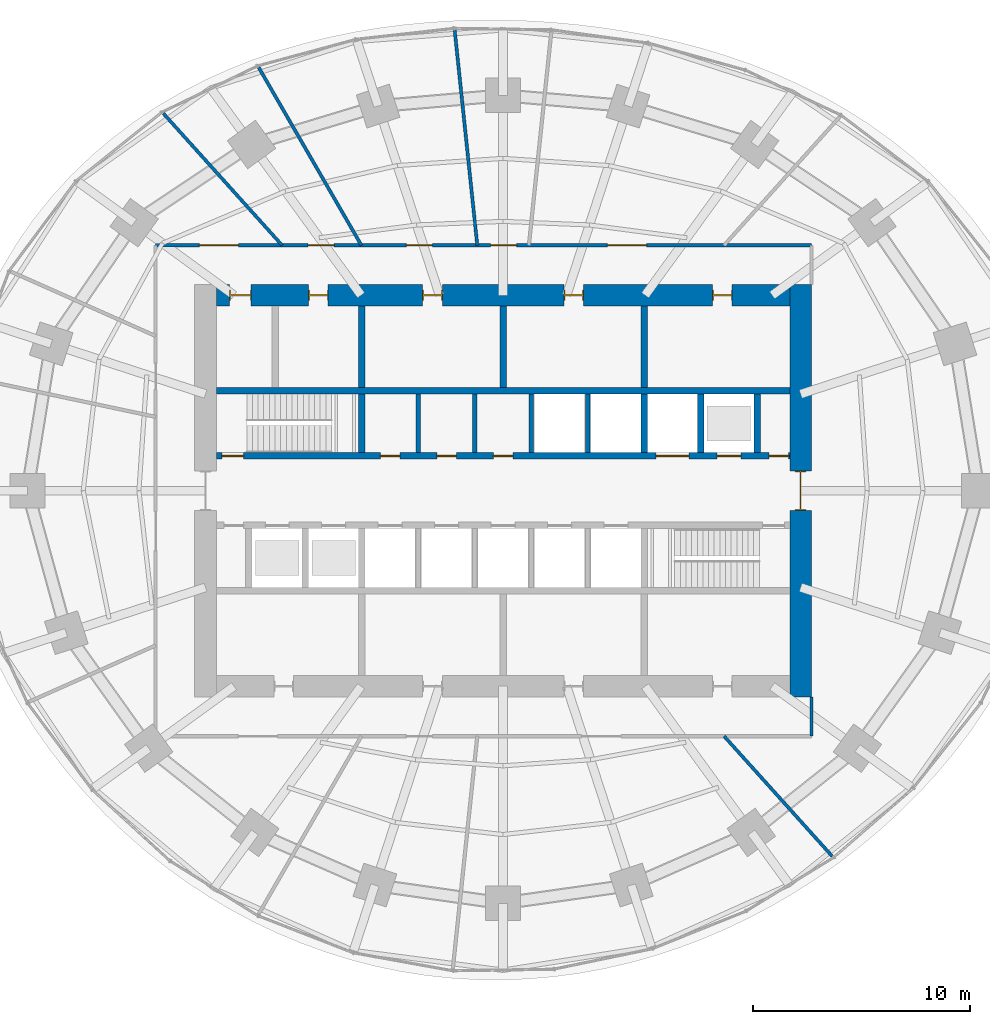
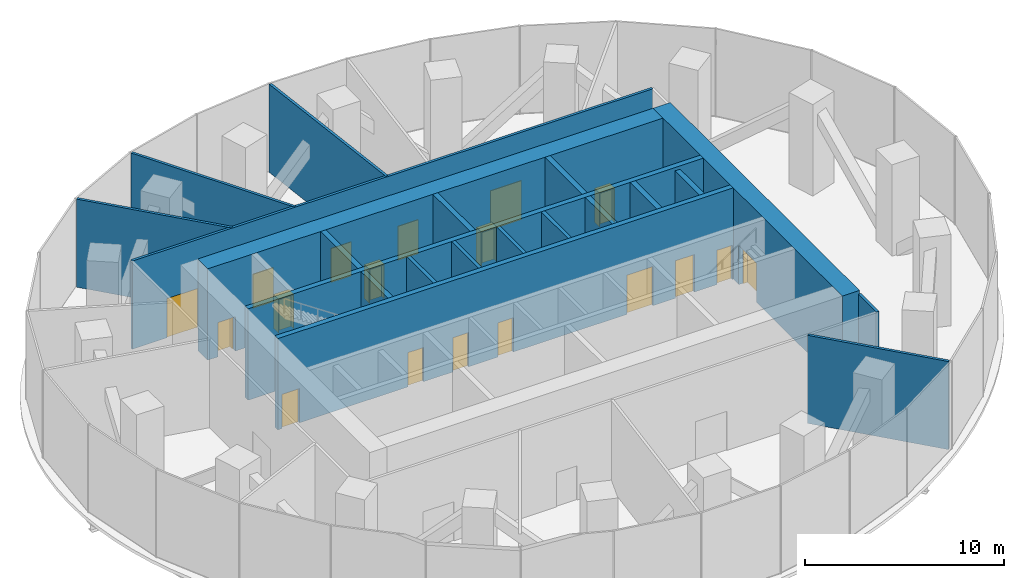
# One storey, part 11 of 14: 21 walls, 18 doors, 18 openings.
"""IFC4 building model written with IfcOpenShell, lengths in metres."""

from ifc_helpers import new_model, si_unit, direction, frame, frame_2d, origin, place, context, subcontext, project, spatial, rectangle, extrude, material, layer, layer_set, type_object, element, fill, save


model = new_model("IFC4")

# Units and contexts
model_context = context("Model", 3, precision=1e-05, world=origin(), true_north=direction((0.0, 1.0)))
body_context = subcontext(model_context, "Body", "Model", "MODEL_VIEW")
ifc_project = project(units=[si_unit("LENGTHUNIT", "METRE"), si_unit("AREAUNIT", "SQUARE_METRE"), si_unit("VOLUMEUNIT", "CUBIC_METRE"), si_unit("PLANEANGLEUNIT", "RADIAN"), si_unit("MASSUNIT", "GRAM", prefix="KILO")], contexts=[model_context])

# Site, building, storey
site_placement = place(None, origin())
site = spatial("IfcSite", under=ifc_project, at=site_placement, CompositionType="ELEMENT")
building_placement = place(site_placement, origin())
building = spatial("IfcBuilding", under=site, at=building_placement, Name="Marramba Exchange Tower", CompositionType="ELEMENT")
storey_placement = place(building_placement, frame((0.0, 0.0, 166.5)))
storey = spatial("IfcBuildingStorey", under=building, at=storey_placement, Name="L40", CompositionType="ELEMENT", Elevation=166.5)

# Walls
ifc_material_1 = material(Name="Concrete N50", Category="concrete")
ifc_layer_1 = layer(ifc_material_1, 0.199951171875)
ifc_layer_set_1 = layer_set([ifc_layer_1], Name="Core shaft wall 200")
wall_type_1 = type_object("IfcWallType", Name="Core shaft wall 200", PredefinedType="SHEAR", material=ifc_layer_set_1)
for number, where, z_axis, x_axis, name in (
    (1, (-3.89990234375, 1.75, 0.0), (0.0, 0.0, 1.0), (0.0, 1.0, 0.0), "Core wall SHN1 L40"),
    (2, (-1.300048828125, 1.75, 0.0), (0.0, 0.0, 1.0), (0.0, 1.0, 0.0), "Core wall SHN2 L40"),
    (3, (1.300048828125, 1.75, 0.0), (0.0, 0.0, 1.0), (0.0, 1.0, 0.0), "Core wall SHN3 L40"),
    (4, (3.89990234375, 1.75, 0.0), (0.0, 0.0, 1.0), (0.0, 1.0, 0.0), "Core wall SHN4 L40"),
):
    element("IfcWall", number, at=place(storey_placement, frame(where, z_axis=z_axis, x_axis=x_axis)), inside=storey, type_object=wall_type_1, Name=name, PredefinedType="SHEAR", context=body_context, shape_type="SweptSolid", body=[
        extrude(rectangle(XDim=2.699951171875, YDim=0.199951171875, at=frame_2d((1.35009765625, 0.0))), origin(), (0.0, 0.0, 1.0), 5.60009765625),
    ])

# Wall, openings, doors
ifc_layer_2 = layer(ifc_material_1, 1.0)
ifc_layer_set_2 = layer_set([ifc_layer_2], Name="Core wall 1000")
wall_type_2 = type_object("IfcWallType", Name="Core wall 1000", PredefinedType="SHEAR", material=ifc_layer_set_2)
wall_1_placement = place(storey_placement, frame((13.199951171875, 9.0, 0.0), z_axis=(0.0, 0.0, 1.0), x_axis=(-1.0, 0.0, 0.0)))
wall_1 = element("IfcWall", 5, at=wall_1_placement, inside=storey, type_object=wall_type_2, Name="Core wall N L40", PredefinedType="SHEAR", context=body_context, shape_type="SweptSolid", body=[
    extrude(rectangle(XDim=26.39990234375, YDim=1.0, at=frame_2d((13.199951171875, 0.0))), origin(), (0.0, 0.0, 1.0), 5.60009765625),
])
opening_1_placement = place(wall_1_placement, frame((2.64990234375, 0.0, 0.0)))
opening_1 = element("IfcOpeningElement", 6, at=opening_1_placement, cuts=wall_1, Name="Opening D5", PredefinedType="OPENING", context=body_context, shape_type="SweptSolid", body=[
    extrude(rectangle(XDim=0.89990234375, YDim=2.10009765625, at=frame_2d((0.449951171875, 1.050048828125))), frame((0.0, 0.510009765625, 0.0), z_axis=(0.0, -1.0, 0.0), x_axis=(1.0, 0.0, 0.0)), (0.0, 0.0, 1.0), 1.02001953125),
])
opening_2_placement = place(wall_1_placement, frame((9.5, 0.0, 0.0)))
opening_2 = element("IfcOpeningElement", 7, at=opening_2_placement, cuts=wall_1, Name="Opening D3", PredefinedType="OPENING", context=body_context, shape_type="SweptSolid", body=[
    extrude(rectangle(XDim=0.89990234375, YDim=2.10009765625, at=frame_2d((0.449951171875, 1.050048828125))), frame((0.0, 0.510009765625, 0.0), z_axis=(0.0, -1.0, 0.0), x_axis=(1.0, 0.0, 0.0)), (0.0, 0.0, 1.0), 1.02001953125),
])
opening_3_placement = place(wall_1_placement, frame((16.0, 0.0, 0.0)))
opening_3 = element("IfcOpeningElement", 8, at=opening_3_placement, cuts=wall_1, Name="Opening D3", PredefinedType="OPENING", context=body_context, shape_type="SweptSolid", body=[
    extrude(rectangle(XDim=0.89990234375, YDim=2.10009765625, at=frame_2d((0.449951171875, 1.050048828125))), frame((0.0, 0.510009765625, 0.0), z_axis=(0.0, -1.0, 0.0), x_axis=(1.0, 0.0, 0.0)), (0.0, 0.0, 1.0), 1.02001953125),
])
opening_4_placement = place(wall_1_placement, frame((21.25, 0.0, 0.0)))
opening_4 = element("IfcOpeningElement", 9, at=opening_4_placement, cuts=wall_1, Name="Opening D5", PredefinedType="OPENING", context=body_context, shape_type="SweptSolid", body=[
    extrude(rectangle(XDim=0.89990234375, YDim=2.10009765625, at=frame_2d((0.449951171875, 1.050048828125))), frame((0.0, 0.510009765625, 0.0), z_axis=(0.0, -1.0, 0.0), x_axis=(1.0, 0.0, 0.0)), (0.0, 0.0, 1.0), 1.02001953125),
])
opening_5_placement = place(wall_1_placement, frame((24.800048828125, 0.0, 0.0)))
opening_5 = element("IfcOpeningElement", 10, at=opening_5_placement, cuts=wall_1, Name="Opening D4", PredefinedType="OPENING", context=body_context, shape_type="SweptSolid", body=[
    extrude(rectangle(XDim=1.0, YDim=2.10009765625, at=frame_2d((0.5, 1.050048828125))), frame((0.0, 0.510009765625, 0.0), z_axis=(0.0, -1.0, 0.0), x_axis=(1.0, 0.0, 0.0)), (0.0, 0.0, 1.0), 1.02001953125),
])
ifc_material_2 = material(Name="Steel-framed door", Category="steel")
door_type_1 = type_object("IfcDoorType", Name="Accessible toilet door 1000x2100", OperationType="SINGLE_SWING_LEFT", PredefinedType="DOOR", material=ifc_material_2)
door_1_placement = place(opening_5_placement, origin())
door_1 = element("IfcDoor", 11, at=door_1_placement, inside=storey, type_object=door_type_1, Name="D4 awc L40", OperationType="SINGLE_SWING_RIGHT", OverallHeight=2.10009765625, OverallWidth=1.0, PredefinedType="DOOR", context=body_context, shape_type="SweptSolid", body=[
    extrude(rectangle(XDim=0.919921875, YDim=2.06005859375, at=frame_2d((0.5, 1.030029296875))), frame((0.0, 0.02490234375, 0.0), z_axis=(0.0, -1.0, 0.0), x_axis=(1.0, 0.0, 0.0)), (0.0, 0.0, 1.0), 0.050048828125),
    extrude(rectangle(XDim=0.04, YDim=2.10009765625, at=frame_2d((0.02001953125, 1.050048828125))), frame((0.0, 0.25, 0.0), z_axis=(0.0, -1.0, 0.0), x_axis=(1.0, 0.0, 0.0)), (0.0, 0.0, 1.0), 0.5),
    extrude(rectangle(XDim=0.04, YDim=2.10009765625, at=frame_2d((0.97998046875, 1.050048828125))), frame((0.0, 0.25, 0.0), z_axis=(0.0, -1.0, 0.0), x_axis=(1.0, 0.0, 0.0)), (0.0, 0.0, 1.0), 0.5),
    extrude(rectangle(XDim=0.919921875, YDim=0.04, at=frame_2d((0.5, 2.080078125))), frame((0.0, 0.25, 0.0), z_axis=(0.0, -1.0, 0.0), x_axis=(1.0, 0.0, 0.0)), (0.0, 0.0, 1.0), 0.5),
])
fill(opening_5, door_1)
door_type_2 = type_object("IfcDoorType", Name="Service door 900x2100", OperationType="SINGLE_SWING_LEFT", PredefinedType="DOOR", material=ifc_material_2)
door_2_placement = place(opening_1_placement, origin())
door_2 = element("IfcDoor", 12, at=door_2_placement, inside=storey, type_object=door_type_2, Name="D5 comms L40", OperationType="SINGLE_SWING_LEFT", OverallHeight=2.10009765625, OverallWidth=0.89990234375, PredefinedType="DOOR", context=body_context, shape_type="SweptSolid", body=[
    extrude(rectangle(XDim=0.81982421875, YDim=2.06005859375, at=frame_2d((0.449951171875, 1.030029296875))), frame((0.0, 0.02490234375, 0.0), z_axis=(0.0, -1.0, 0.0), x_axis=(1.0, 0.0, 0.0)), (0.0, 0.0, 1.0), 0.050048828125),
    extrude(rectangle(XDim=0.04, YDim=2.10009765625, at=frame_2d((0.02001953125, 1.050048828125))), frame((0.0, 0.25, 0.0), z_axis=(0.0, -1.0, 0.0), x_axis=(1.0, 0.0, 0.0)), (0.0, 0.0, 1.0), 0.5),
    extrude(rectangle(XDim=0.04, YDim=2.10009765625, at=frame_2d((0.8798828125, 1.050048828125))), frame((0.0, 0.25, 0.0), z_axis=(0.0, -1.0, 0.0), x_axis=(1.0, 0.0, 0.0)), (0.0, 0.0, 1.0), 0.5),
    extrude(rectangle(XDim=0.81982421875, YDim=0.04, at=frame_2d((0.449951171875, 2.080078125))), frame((0.0, 0.25, 0.0), z_axis=(0.0, -1.0, 0.0), x_axis=(1.0, 0.0, 0.0)), (0.0, 0.0, 1.0), 0.5),
])
fill(opening_1, door_2)
door_3_placement = place(opening_4_placement, origin())
door_3 = element("IfcDoor", 13, at=door_3_placement, inside=storey, type_object=door_type_2, Name="D5 cleaner L40", OperationType="SINGLE_SWING_RIGHT", OverallHeight=2.10009765625, OverallWidth=0.89990234375, PredefinedType="DOOR", context=body_context, shape_type="SweptSolid", body=[
    extrude(rectangle(XDim=0.81982421875, YDim=2.06005859375, at=frame_2d((0.449951171875, 1.030029296875))), frame((0.0, 0.02490234375, 0.0), z_axis=(0.0, -1.0, 0.0), x_axis=(1.0, 0.0, 0.0)), (0.0, 0.0, 1.0), 0.050048828125),
    extrude(rectangle(XDim=0.04, YDim=2.10009765625, at=frame_2d((0.02001953125, 1.050048828125))), frame((0.0, 0.25, 0.0), z_axis=(0.0, -1.0, 0.0), x_axis=(1.0, 0.0, 0.0)), (0.0, 0.0, 1.0), 0.5),
    extrude(rectangle(XDim=0.04, YDim=2.10009765625, at=frame_2d((0.8798828125, 1.050048828125))), frame((0.0, 0.25, 0.0), z_axis=(0.0, -1.0, 0.0), x_axis=(1.0, 0.0, 0.0)), (0.0, 0.0, 1.0), 0.5),
    extrude(rectangle(XDim=0.81982421875, YDim=0.04, at=frame_2d((0.449951171875, 2.080078125))), frame((0.0, 0.25, 0.0), z_axis=(0.0, -1.0, 0.0), x_axis=(1.0, 0.0, 0.0)), (0.0, 0.0, 1.0), 0.5),
])
fill(opening_4, door_3)
door_type_3 = type_object("IfcDoorType", Name="Toilet door 900x2100", OperationType="SINGLE_SWING_LEFT", PredefinedType="DOOR", material=ifc_material_2)
door_4_placement = place(opening_2_placement, origin())
door_4 = element("IfcDoor", 14, at=door_4_placement, inside=storey, type_object=door_type_3, Name="D3 wc-f L40", OperationType="SINGLE_SWING_RIGHT", OverallHeight=2.10009765625, OverallWidth=0.89990234375, PredefinedType="DOOR", context=body_context, shape_type="SweptSolid", body=[
    extrude(rectangle(XDim=0.81982421875, YDim=2.06005859375, at=frame_2d((0.449951171875, 1.030029296875))), frame((0.0, 0.02490234375, 0.0), z_axis=(0.0, -1.0, 0.0), x_axis=(1.0, 0.0, 0.0)), (0.0, 0.0, 1.0), 0.050048828125),
    extrude(rectangle(XDim=0.04, YDim=2.10009765625, at=frame_2d((0.02001953125, 1.050048828125))), frame((0.0, 0.25, 0.0), z_axis=(0.0, -1.0, 0.0), x_axis=(1.0, 0.0, 0.0)), (0.0, 0.0, 1.0), 0.5),
    extrude(rectangle(XDim=0.04, YDim=2.10009765625, at=frame_2d((0.8798828125, 1.050048828125))), frame((0.0, 0.25, 0.0), z_axis=(0.0, -1.0, 0.0), x_axis=(1.0, 0.0, 0.0)), (0.0, 0.0, 1.0), 0.5),
    extrude(rectangle(XDim=0.81982421875, YDim=0.04, at=frame_2d((0.449951171875, 2.080078125))), frame((0.0, 0.25, 0.0), z_axis=(0.0, -1.0, 0.0), x_axis=(1.0, 0.0, 0.0)), (0.0, 0.0, 1.0), 0.5),
])
fill(opening_2, door_4)
door_5_placement = place(opening_3_placement, origin())
door_5 = element("IfcDoor", 15, at=door_5_placement, inside=storey, type_object=door_type_3, Name="D3 wc-m L40", OperationType="SINGLE_SWING_RIGHT", OverallHeight=2.10009765625, OverallWidth=0.89990234375, PredefinedType="DOOR", context=body_context, shape_type="SweptSolid", body=[
    extrude(rectangle(XDim=0.81982421875, YDim=2.06005859375, at=frame_2d((0.449951171875, 1.030029296875))), frame((0.0, 0.02490234375, 0.0), z_axis=(0.0, -1.0, 0.0), x_axis=(1.0, 0.0, 0.0)), (0.0, 0.0, 1.0), 0.050048828125),
    extrude(rectangle(XDim=0.04, YDim=2.10009765625, at=frame_2d((0.02001953125, 1.050048828125))), frame((0.0, 0.25, 0.0), z_axis=(0.0, -1.0, 0.0), x_axis=(1.0, 0.0, 0.0)), (0.0, 0.0, 1.0), 0.5),
    extrude(rectangle(XDim=0.04, YDim=2.10009765625, at=frame_2d((0.8798828125, 1.050048828125))), frame((0.0, 0.25, 0.0), z_axis=(0.0, -1.0, 0.0), x_axis=(1.0, 0.0, 0.0)), (0.0, 0.0, 1.0), 0.5),
    extrude(rectangle(XDim=0.81982421875, YDim=0.04, at=frame_2d((0.449951171875, 2.080078125))), frame((0.0, 0.25, 0.0), z_axis=(0.0, -1.0, 0.0), x_axis=(1.0, 0.0, 0.0)), (0.0, 0.0, 1.0), 0.5),
])
fill(opening_3, door_5)

# Wall, opening, door
wall_2_placement = place(storey_placement, frame((13.699951171875, -9.5, 0.0), z_axis=(0.0, 0.0, 1.0), x_axis=(0.0, 1.0, 0.0)))
wall_2 = element("IfcWall", 16, at=wall_2_placement, inside=storey, type_object=wall_type_2, Name="Core wall E L40", PredefinedType="SHEAR", context=body_context, shape_type="SweptSolid", body=[
    extrude(rectangle(XDim=19.0, YDim=1.0, at=frame_2d((9.5, 0.0))), origin(), (0.0, 0.0, 1.0), 5.60009765625),
])
opening_6_placement = place(wall_2_placement, frame((8.60009765625, 0.0, 0.0)))
opening_6 = element("IfcOpeningElement", 17, at=opening_6_placement, cuts=wall_2, Name="Opening D1", PredefinedType="OPENING", context=body_context, shape_type="SweptSolid", body=[
    extrude(rectangle(XDim=1.800048828125, YDim=2.39990234375, at=frame_2d((0.89990234375, 1.199951171875))), frame((0.0, 0.510009765625, 0.0), z_axis=(0.0, -1.0, 0.0), x_axis=(1.0, 0.0, 0.0)), (0.0, 0.0, 1.0), 1.02001953125),
])
door_type_4 = type_object("IfcDoorType", Name="Lobby exit door 1800x2400", OperationType="DOUBLE_DOOR_SINGLE_SWING", PredefinedType="DOOR", material=ifc_material_2)
door_6_placement = place(opening_6_placement, origin())
door_6 = element("IfcDoor", 18, at=door_6_placement, inside=storey, type_object=door_type_4, Name="D1 lobby exit east L40", OperationType="DOUBLE_DOOR_SINGLE_SWING", OverallHeight=2.39990234375, OverallWidth=1.800048828125, PredefinedType="DOOR", context=body_context, shape_type="SweptSolid", body=[
    extrude(rectangle(XDim=1.719970703125, YDim=2.35986328125, at=frame_2d((0.89990234375, 1.179931640625))), frame((0.0, 0.02490234375, 0.0), z_axis=(0.0, -1.0, 0.0), x_axis=(1.0, 0.0, 0.0)), (0.0, 0.0, 1.0), 0.050048828125),
    extrude(rectangle(XDim=0.04, YDim=2.39990234375, at=frame_2d((0.02001953125, 1.199951171875))), frame((0.0, 0.25, 0.0), z_axis=(0.0, -1.0, 0.0), x_axis=(1.0, 0.0, 0.0)), (0.0, 0.0, 1.0), 0.5),
    extrude(rectangle(XDim=0.04, YDim=2.39990234375, at=frame_2d((1.780029296875, 1.199951171875))), frame((0.0, 0.25, 0.0), z_axis=(0.0, -1.0, 0.0), x_axis=(1.0, 0.0, 0.0)), (0.0, 0.0, 1.0), 0.5),
    extrude(rectangle(XDim=1.719970703125, YDim=0.04, at=frame_2d((0.89990234375, 2.3798828125))), frame((0.0, 0.25, 0.0), z_axis=(0.0, -1.0, 0.0), x_axis=(1.0, 0.0, 0.0)), (0.0, 0.0, 1.0), 0.5),
])
fill(opening_6, door_6)

# Wall, openings, doors
ifc_layer_3 = layer(ifc_material_1, 0.300048828125)
ifc_layer_set_3 = layer_set([ifc_layer_3], Name="Core wall 300")
wall_type_3 = type_object("IfcWallType", Name="Core wall 300", PredefinedType="SHEAR", material=ifc_layer_set_3)
wall_3_placement = place(storey_placement, frame((-13.199951171875, 1.60009765625, 0.0), z_axis=(0.0, 0.0, 1.0), x_axis=(1.0, 0.0, 0.0)))
wall_3 = element("IfcWall", 19, at=wall_3_placement, inside=storey, type_object=wall_type_3, Name="Core wall LN L40", PredefinedType="SHEAR", context=body_context, shape_type="SweptSolid", body=[
    extrude(rectangle(XDim=26.39990234375, YDim=0.300048828125, at=frame_2d((13.199951171875, 0.0))), origin(), (0.0, 0.0, 1.0), 5.60009765625),
])
opening_7_placement = place(wall_3_placement, frame((0.25, 0.0, 0.0)))
opening_7 = element("IfcOpeningElement", 20, at=opening_7_placement, cuts=wall_3, Name="Opening D2", PredefinedType="OPENING", context=body_context, shape_type="SweptSolid", body=[
    extrude(rectangle(XDim=1.0, YDim=2.10009765625, at=frame_2d((0.5, 1.050048828125))), frame((0.0, 0.159912109375, 0.0), z_axis=(0.0, -1.0, 0.0), x_axis=(1.0, 0.0, 0.0)), (0.0, 0.0, 1.0), 0.320068359375),
])
opening_8_placement = place(wall_3_placement, frame((23.050048828125, 0.0, 0.0)))
opening_8 = element("IfcOpeningElement", 21, at=opening_8_placement, cuts=wall_3, Name="Opening LD1", PredefinedType="OPENING", context=body_context, shape_type="SweptSolid", body=[
    extrude(rectangle(XDim=1.10009765625, YDim=2.300048828125, at=frame_2d((0.550048828125, 1.14990234375))), frame((0.0, 0.159912109375, 0.0), z_axis=(0.0, -1.0, 0.0), x_axis=(1.0, 0.0, 0.0)), (0.0, 0.0, 1.0), 0.320068359375),
])
opening_9_placement = place(wall_3_placement, frame((20.25, 0.0, 0.0)))
opening_9 = element("IfcOpeningElement", 22, at=opening_9_placement, cuts=wall_3, Name="Opening LD3", PredefinedType="OPENING", context=body_context, shape_type="SweptSolid", body=[
    extrude(rectangle(XDim=1.5, YDim=2.39990234375, at=frame_2d((0.75, 1.199951171875))), frame((0.0, 0.159912109375, 0.0), z_axis=(0.0, -1.0, 0.0), x_axis=(1.0, 0.0, 0.0)), (0.0, 0.0, 1.0), 0.320068359375),
])
opening_10_placement = place(wall_3_placement, frame((7.550048828125, 0.0, 0.0)))
opening_10 = element("IfcOpeningElement", 23, at=opening_10_placement, cuts=wall_3, Name="Opening D5", PredefinedType="OPENING", context=body_context, shape_type="SweptSolid", body=[
    extrude(rectangle(XDim=0.89990234375, YDim=2.10009765625, at=frame_2d((0.449951171875, 1.050048828125))), frame((0.0, 0.159912109375, 0.0), z_axis=(0.0, -1.0, 0.0), x_axis=(1.0, 0.0, 0.0)), (0.0, 0.0, 1.0), 0.320068359375),
])
opening_11_placement = place(wall_3_placement, frame((10.14990234375, 0.0, 0.0)))
opening_11 = element("IfcOpeningElement", 24, at=opening_11_placement, cuts=wall_3, Name="Opening D5", PredefinedType="OPENING", context=body_context, shape_type="SweptSolid", body=[
    extrude(rectangle(XDim=0.89990234375, YDim=2.10009765625, at=frame_2d((0.449951171875, 1.050048828125))), frame((0.0, 0.159912109375, 0.0), z_axis=(0.0, -1.0, 0.0), x_axis=(1.0, 0.0, 0.0)), (0.0, 0.0, 1.0), 0.320068359375),
])
opening_12_placement = place(wall_3_placement, frame((12.75, 0.0, 0.0)))
opening_12 = element("IfcOpeningElement", 25, at=opening_12_placement, cuts=wall_3, Name="Opening D5", PredefinedType="OPENING", context=body_context, shape_type="SweptSolid", body=[
    extrude(rectangle(XDim=0.89990234375, YDim=2.10009765625, at=frame_2d((0.449951171875, 1.050048828125))), frame((0.0, 0.159912109375, 0.0), z_axis=(0.0, -1.0, 0.0), x_axis=(1.0, 0.0, 0.0)), (0.0, 0.0, 1.0), 0.320068359375),
])
opening_13_placement = place(wall_3_placement, frame((25.449951171875, 0.0, 0.0)))
opening_13 = element("IfcOpeningElement", 26, at=opening_13_placement, cuts=wall_3, Name="Opening D5", PredefinedType="OPENING", context=body_context, shape_type="SweptSolid", body=[
    extrude(rectangle(XDim=0.89990234375, YDim=2.10009765625, at=frame_2d((0.449951171875, 1.050048828125))), frame((0.0, 0.159912109375, 0.0), z_axis=(0.0, -1.0, 0.0), x_axis=(1.0, 0.0, 0.0)), (0.0, 0.0, 1.0), 0.320068359375),
])
door_type_5 = type_object("IfcDoorType", Name="Goods lift landing door 1500x2400", OperationType="SLIDING_TO_LEFT", PredefinedType="DOOR", material=ifc_material_2)
door_7_placement = place(opening_9_placement, origin())
door_7 = element("IfcDoor", 27, at=door_7_placement, inside=storey, type_object=door_type_5, Name="GL1 landing door L40", OperationType="SLIDING_TO_LEFT", OverallHeight=2.39990234375, OverallWidth=1.5, PredefinedType="DOOR", context=body_context, shape_type="SweptSolid", body=[
    extrude(rectangle(XDim=1.5, YDim=2.39990234375, at=frame_2d((0.75, 1.199951171875))), frame((0.0, 0.02490234375, 0.0), z_axis=(0.0, -1.0, 0.0), x_axis=(1.0, 0.0, 0.0)), (0.0, 0.0, 1.0), 0.050048828125),
])
fill(opening_9, door_7)
door_type_6 = type_object("IfcDoorType", Name="Lift landing door 1100x2300", OperationType="SLIDING_TO_LEFT", PredefinedType="DOOR", material=ifc_material_2)
door_8_placement = place(opening_8_placement, origin())
door_8 = element("IfcDoor", 28, at=door_8_placement, inside=storey, type_object=door_type_6, Name="LC3 landing door L40", OperationType="SLIDING_TO_LEFT", OverallHeight=2.300048828125, OverallWidth=1.10009765625, PredefinedType="DOOR", context=body_context, shape_type="SweptSolid", body=[
    extrude(rectangle(XDim=1.10009765625, YDim=2.300048828125, at=frame_2d((0.550048828125, 1.14990234375))), frame((0.0, 0.02490234375, 0.0), z_axis=(0.0, -1.0, 0.0), x_axis=(1.0, 0.0, 0.0)), (0.0, 0.0, 1.0), 0.050048828125),
])
fill(opening_8, door_8)
door_9_placement = place(opening_10_placement, origin())
door_9 = element("IfcDoor", 29, at=door_9_placement, inside=storey, type_object=door_type_2, Name="D5 store n1 L40", OperationType="SINGLE_SWING_RIGHT", OverallHeight=2.10009765625, OverallWidth=0.89990234375, PredefinedType="DOOR", context=body_context, shape_type="SweptSolid", body=[
    extrude(rectangle(XDim=0.89990234375, YDim=2.10009765625, at=frame_2d((0.449951171875, 1.050048828125))), frame((0.0, 0.02490234375, 0.0), z_axis=(0.0, -1.0, 0.0), x_axis=(1.0, 0.0, 0.0)), (0.0, 0.0, 1.0), 0.050048828125),
])
fill(opening_10, door_9)
door_10_placement = place(opening_11_placement, origin())
door_10 = element("IfcDoor", 30, at=door_10_placement, inside=storey, type_object=door_type_2, Name="D5 store n2 L40", OperationType="SINGLE_SWING_RIGHT", OverallHeight=2.10009765625, OverallWidth=0.89990234375, PredefinedType="DOOR", context=body_context, shape_type="SweptSolid", body=[
    extrude(rectangle(XDim=0.89990234375, YDim=2.10009765625, at=frame_2d((0.449951171875, 1.050048828125))), frame((0.0, 0.02490234375, 0.0), z_axis=(0.0, -1.0, 0.0), x_axis=(1.0, 0.0, 0.0)), (0.0, 0.0, 1.0), 0.050048828125),
])
fill(opening_11, door_10)
door_11_placement = place(opening_12_placement, origin())
door_11 = element("IfcDoor", 31, at=door_11_placement, inside=storey, type_object=door_type_2, Name="D5 store n3 L40", OperationType="SINGLE_SWING_RIGHT", OverallHeight=2.10009765625, OverallWidth=0.89990234375, PredefinedType="DOOR", context=body_context, shape_type="SweptSolid", body=[
    extrude(rectangle(XDim=0.89990234375, YDim=2.10009765625, at=frame_2d((0.449951171875, 1.050048828125))), frame((0.0, 0.02490234375, 0.0), z_axis=(0.0, -1.0, 0.0), x_axis=(1.0, 0.0, 0.0)), (0.0, 0.0, 1.0), 0.050048828125),
])
fill(opening_12, door_11)
door_12_placement = place(opening_13_placement, origin())
door_12 = element("IfcDoor", 32, at=door_12_placement, inside=storey, type_object=door_type_2, Name="D5 riser L40", OperationType="SINGLE_SWING_RIGHT", OverallHeight=2.10009765625, OverallWidth=0.89990234375, PredefinedType="DOOR", context=body_context, shape_type="SweptSolid", body=[
    extrude(rectangle(XDim=0.89990234375, YDim=2.10009765625, at=frame_2d((0.449951171875, 1.050048828125))), frame((0.0, 0.02490234375, 0.0), z_axis=(0.0, -1.0, 0.0), x_axis=(1.0, 0.0, 0.0)), (0.0, 0.0, 1.0), 0.050048828125),
])
fill(opening_13, door_12)
door_type_7 = type_object("IfcDoorType", Name="Stair door 1000x2100", OperationType="SINGLE_SWING_LEFT", PredefinedType="DOOR", material=ifc_material_2)
door_13_placement = place(opening_7_placement, origin())
door_13 = element("IfcDoor", 33, at=door_13_placement, inside=storey, type_object=door_type_7, Name="D2 stair ST1 L40", OperationType="SINGLE_SWING_LEFT", OverallHeight=2.10009765625, OverallWidth=1.0, PredefinedType="DOOR", context=body_context, shape_type="SweptSolid", body=[
    extrude(rectangle(XDim=1.0, YDim=2.10009765625, at=frame_2d((0.5, 1.050048828125))), frame((0.0, 0.02490234375, 0.0), z_axis=(0.0, -1.0, 0.0), x_axis=(1.0, 0.0, 0.0)), (0.0, 0.0, 1.0), 0.050048828125),
])
fill(opening_7, door_13)

# Walls
wall_4_placement = place(storey_placement, frame((-13.199951171875, 4.60009765625, 0.0), z_axis=(0.0, 0.0, 1.0), x_axis=(1.0, 0.0, 0.0)))
element("IfcWall", 34, at=wall_4_placement, inside=storey, type_object=wall_type_3, Name="Core wall BN L40", PredefinedType="SHEAR", context=body_context, shape_type="SweptSolid", body=[
    extrude(rectangle(XDim=26.39990234375, YDim=0.300048828125, at=frame_2d((13.199951171875, 0.0))), origin(), (0.0, 0.0, 1.0), 5.60009765625),
])
wall_5_placement = place(storey_placement, frame((-6.5, 1.75, 0.0), z_axis=(0.0, 0.0, 1.0), x_axis=(0.0, 1.0, 0.0)))
element("IfcWall", 35, at=wall_5_placement, inside=storey, type_object=wall_type_3, Name="Core wall X0Na L40", PredefinedType="SHEAR", context=body_context, shape_type="SweptSolid", body=[
    extrude(rectangle(XDim=2.699951171875, YDim=0.300048828125, at=frame_2d((1.35009765625, 0.0))), origin(), (0.0, 0.0, 1.0), 5.60009765625),
])
wall_6_placement = place(storey_placement, frame((-6.5, 4.75, 0.0), z_axis=(0.0, 0.0, 1.0), x_axis=(0.0, 1.0, 0.0)))
element("IfcWall", 36, at=wall_6_placement, inside=storey, type_object=wall_type_3, Name="Core wall X0Nb L40", PredefinedType="SHEAR", context=body_context, shape_type="SweptSolid", body=[
    extrude(rectangle(XDim=3.75, YDim=0.300048828125, at=frame_2d((1.875, 0.0))), origin(), (0.0, 0.0, 1.0), 5.60009765625),
])
wall_7_placement = place(storey_placement, frame((6.5, 1.75, 0.0), z_axis=(0.0, 0.0, 1.0), x_axis=(0.0, 1.0, 0.0)))
element("IfcWall", 37, at=wall_7_placement, inside=storey, type_object=wall_type_3, Name="Core wall X1Na L40", PredefinedType="SHEAR", context=body_context, shape_type="SweptSolid", body=[
    extrude(rectangle(XDim=2.699951171875, YDim=0.300048828125, at=frame_2d((1.35009765625, 0.0))), origin(), (0.0, 0.0, 1.0), 5.60009765625),
])
for number, where, z_axis, x_axis, name in (
    (38, (6.5, 4.75, 0.0), (0.0, 0.0, 1.0), (0.0, 1.0, 0.0), "Core wall X1Nb L40"),
    (39, (0.0, 4.75, 0.0), (0.0, 0.0, 1.0), (0.0, 1.0, 0.0), "Core wall MN L40"),
):
    element("IfcWall", number, at=place(storey_placement, frame(where, z_axis=z_axis, x_axis=x_axis)), inside=storey, type_object=wall_type_3, Name=name, PredefinedType="SHEAR", context=body_context, shape_type="SweptSolid", body=[
        extrude(rectangle(XDim=3.75, YDim=0.300048828125, at=frame_2d((1.875, 0.0))), origin(), (0.0, 0.0, 1.0), 5.60009765625),
    ])
wall_8_placement = place(storey_placement, frame((9.10009765625, 1.75, 0.0), z_axis=(0.0, 0.0, 1.0), x_axis=(0.0, 1.0, 0.0)))
element("IfcWall", 40, at=wall_8_placement, inside=storey, type_object=wall_type_3, Name="Core wall ED L40", PredefinedType="SHEAR", context=body_context, shape_type="SweptSolid", body=[
    extrude(rectangle(XDim=2.699951171875, YDim=0.300048828125, at=frame_2d((1.35009765625, 0.0))), origin(), (0.0, 0.0, 1.0), 5.60009765625),
])
ifc_material_3 = material(Name="Core-filled concrete blockwork", Category="masonry")
ifc_layer_4 = layer(ifc_material_3, 0.300048828125)
ifc_layer_set_4 = layer_set([ifc_layer_4], Name="Lift shaft wall 300")
wall_type_4 = type_object("IfcWallType", Name="Lift shaft wall 300", PredefinedType="SOLIDWALL", material=ifc_layer_set_4)
wall_9_placement = place(storey_placement, frame((11.699951171875, 1.75, 0.0), z_axis=(0.0, 0.0, 1.0), x_axis=(0.0, 1.0, 0.0)))
element("IfcWall", 41, at=wall_9_placement, inside=storey, type_object=wall_type_4, Name="Lift shaft wall E1 L40", PredefinedType="SOLIDWALL", context=body_context, shape_type="SweptSolid", body=[
    extrude(rectangle(XDim=2.699951171875, YDim=0.300048828125, at=frame_2d((1.35009765625, 0.0))), origin(), (0.0, 0.0, 1.0), 5.39990234375),
])
ifc_material_4 = material(Name="Fire-rated plasterboard on steel studs, acoustic insulation", Category="steel")
ifc_layer_5 = layer(ifc_material_4, 0.14990234375)
ifc_layer_set_5 = layer_set([ifc_layer_5], Name="Tenancy wall 150")
wall_type_5 = type_object("IfcWallType", Name="Tenancy wall 150", PredefinedType="PARTITIONING", material=ifc_layer_set_5)
wall_10_placement = place(storey_placement, frame((15.156005859375, -16.83251953125, 0.0), z_axis=(0.0, 0.0, 1.0), x_axis=(-0.669129591277, 0.74314573946, 0.0)))
element("IfcWall", 42, at=wall_10_placement, inside=storey, type_object=wall_type_5, Name="Tenancy wall L40 05", PredefinedType="PARTITIONING", context=body_context, shape_type="SweptSolid", body=[
    extrude(rectangle(XDim=7.444580078125, YDim=0.14990234375, at=frame_2d((3.72216796875, 0.0))), origin(), (0.0, 0.0, 1.0), 5.39990234375),
])
wall_11_placement = place(storey_placement, frame((14.199951171875, -11.300048828125, 0.0), z_axis=(0.0, 0.0, 1.0), x_axis=(0.0, 1.0, 0.0)))
element("IfcWall", 43, at=wall_11_placement, inside=storey, type_object=wall_type_5, Name="Tenancy wall L40 06", PredefinedType="PARTITIONING", context=body_context, shape_type="SweptSolid", body=[
    extrude(rectangle(XDim=1.800048828125, YDim=0.14990234375, at=frame_2d((0.89990234375, 0.0))), origin(), (0.0, 0.0, 1.0), 5.39990234375),
])

# Wall, openings, doors
wall_12_placement = place(storey_placement, frame((14.199951171875, 11.300048828125, 0.0), z_axis=(0.0, 0.0, 1.0), x_axis=(-1.0, 0.0, 0.0)))
wall_12 = element("IfcWall", 44, at=wall_12_placement, inside=storey, type_object=wall_type_5, Name="Tenancy wall L40 10", PredefinedType="PARTITIONING", context=body_context, shape_type="SweptSolid", body=[
    extrude(rectangle(XDim=30.199951171875, YDim=0.14990234375, at=frame_2d((15.10009765625, 0.0))), origin(), (0.0, 0.0, 1.0), 5.39990234375),
])
opening_14_placement = place(wall_12_placement, frame((7.593994140625, 0.0, 0.0)))
opening_14 = element("IfcOpeningElement", 45, at=opening_14_placement, cuts=wall_12, Name="Opening D18", PredefinedType="OPENING", context=body_context, shape_type="SweptSolid", body=[
    extrude(rectangle(XDim=1.800048828125, YDim=2.39990234375, at=frame_2d((0.89990234375, 1.199951171875))), frame((0.0, 0.0849609375, 0.0), z_axis=(0.0, -1.0, 0.0), x_axis=(1.0, 0.0, 0.0)), (0.0, 0.0, 1.0), 0.169921875),
])
opening_15_placement = place(wall_12_placement, frame((13.573974609375, 0.0, 0.0)))
opening_15 = element("IfcOpeningElement", 46, at=opening_15_placement, cuts=wall_12, Name="Opening D16", PredefinedType="OPENING", context=body_context, shape_type="SweptSolid", body=[
    extrude(rectangle(XDim=1.199951171875, YDim=2.10009765625, at=frame_2d((0.60009765625, 1.050048828125))), frame((0.0, 0.0849609375, 0.0), z_axis=(0.0, -1.0, 0.0), x_axis=(1.0, 0.0, 0.0)), (0.0, 0.0, 1.0), 0.169921875),
])
opening_16_placement = place(wall_12_placement, frame((17.4560546875, 0.0, 0.0)))
opening_16 = element("IfcOpeningElement", 47, at=opening_16_placement, cuts=wall_12, Name="Opening D16", PredefinedType="OPENING", context=body_context, shape_type="SweptSolid", body=[
    extrude(rectangle(XDim=1.199951171875, YDim=2.10009765625, at=frame_2d((0.60009765625, 1.050048828125))), frame((0.0, 0.0849609375, 0.0), z_axis=(0.0, -1.0, 0.0), x_axis=(1.0, 0.0, 0.0)), (0.0, 0.0, 1.0), 0.169921875),
])
opening_17_placement = place(wall_12_placement, frame((21.97412109375, 0.0, 0.0)))
opening_17 = element("IfcOpeningElement", 48, at=opening_17_placement, cuts=wall_12, Name="Opening D16", PredefinedType="OPENING", context=body_context, shape_type="SweptSolid", body=[
    extrude(rectangle(XDim=1.199951171875, YDim=2.10009765625, at=frame_2d((0.60009765625, 1.050048828125))), frame((0.0, 0.0849609375, 0.0), z_axis=(0.0, -1.0, 0.0), x_axis=(1.0, 0.0, 0.0)), (0.0, 0.0, 1.0), 0.169921875),
])
opening_18_placement = place(wall_12_placement, frame((26.386962890625, 0.0, 0.0)))
opening_18 = element("IfcOpeningElement", 49, at=opening_18_placement, cuts=wall_12, Name="Opening D18", PredefinedType="OPENING", context=body_context, shape_type="SweptSolid", body=[
    extrude(rectangle(XDim=1.800048828125, YDim=2.39990234375, at=frame_2d((0.89990234375, 1.199951171875))), frame((0.0, 0.0849609375, 0.0), z_axis=(0.0, -1.0, 0.0), x_axis=(1.0, 0.0, 0.0)), (0.0, 0.0, 1.0), 0.169921875),
])
door_type_8 = type_object("IfcDoorType", Name="Door pair 1800x2400", OperationType="DOUBLE_DOOR_SINGLE_SWING", PredefinedType="DOOR", material=ifc_material_2)
door_14_placement = place(opening_14_placement, origin())
door_14 = element("IfcDoor", 50, at=door_14_placement, inside=storey, type_object=door_type_8, Name="D18 AHU Plant Room 1 L40", OperationType="DOUBLE_DOOR_SINGLE_SWING", OverallHeight=2.39990234375, OverallWidth=1.800048828125, PredefinedType="DOOR", context=body_context, shape_type="SweptSolid", body=[
    extrude(rectangle(XDim=1.800048828125, YDim=2.39990234375, at=frame_2d((0.89990234375, 1.199951171875))), frame((0.0, 0.02490234375, 0.0), z_axis=(0.0, -1.0, 0.0), x_axis=(1.0, 0.0, 0.0)), (0.0, 0.0, 1.0), 0.050048828125),
])
fill(opening_14, door_14)
door_15_placement = place(opening_18_placement, origin())
door_15 = element("IfcDoor", 51, at=door_15_placement, inside=storey, type_object=door_type_8, Name="D18 Electrical Switch Room L40", OperationType="DOUBLE_DOOR_SINGLE_SWING", OverallHeight=2.39990234375, OverallWidth=1.800048828125, PredefinedType="DOOR", context=body_context, shape_type="SweptSolid", body=[
    extrude(rectangle(XDim=1.800048828125, YDim=2.39990234375, at=frame_2d((0.89990234375, 1.199951171875))), frame((0.0, 0.02490234375, 0.0), z_axis=(0.0, -1.0, 0.0), x_axis=(1.0, 0.0, 0.0)), (0.0, 0.0, 1.0), 0.050048828125),
])
fill(opening_18, door_15)
door_type_9 = type_object("IfcDoorType", Name="Equipment room door 1200x2100", OperationType="SINGLE_SWING_LEFT", PredefinedType="DOOR", material=ifc_material_2)
door_16_placement = place(opening_15_placement, frame((1.199951171875, 0.0, 0.0), z_axis=(0.0, 0.0, 1.0), x_axis=(-1.0, 0.0, 0.0)))
door_16 = element("IfcDoor", 52, at=door_16_placement, inside=storey, type_object=door_type_9, Name="D16 Outdoor Air Intake Plant Room 1 L40", OperationType="SINGLE_SWING_RIGHT", OverallHeight=2.10009765625, OverallWidth=1.199951171875, PredefinedType="DOOR", context=body_context, shape_type="SweptSolid", body=[
    extrude(rectangle(XDim=1.199951171875, YDim=2.10009765625, at=frame_2d((0.599853515625, 1.050048828125))), frame((0.0, 0.025146484375, 0.0), z_axis=(0.0, -1.0, 0.0), x_axis=(1.0, 0.0, 0.0)), (0.0, 0.0, 1.0), 0.050048828125),
])
fill(opening_15, door_16)
door_17_placement = place(opening_16_placement, origin())
door_17 = element("IfcDoor", 53, at=door_17_placement, inside=storey, type_object=door_type_9, Name="D16 Sprinkler Valve Room L40", OperationType="SINGLE_SWING_RIGHT", OverallHeight=2.10009765625, OverallWidth=1.199951171875, PredefinedType="DOOR", context=body_context, shape_type="SweptSolid", body=[
    extrude(rectangle(XDim=1.199951171875, YDim=2.10009765625, at=frame_2d((0.60009765625, 1.050048828125))), frame((0.0, 0.02490234375, 0.0), z_axis=(0.0, -1.0, 0.0), x_axis=(1.0, 0.0, 0.0)), (0.0, 0.0, 1.0), 0.050048828125),
])
fill(opening_16, door_17)
door_18_placement = place(opening_17_placement, frame((1.199951171875, 0.0, 0.0), z_axis=(0.0, 0.0, 1.0), x_axis=(-1.0, 0.0, 0.0)))
door_18 = element("IfcDoor", 54, at=door_18_placement, inside=storey, type_object=door_type_9, Name="D16 Heat Exchanger Plant Room L40", OperationType="SINGLE_SWING_RIGHT", OverallHeight=2.10009765625, OverallWidth=1.199951171875, PredefinedType="DOOR", context=body_context, shape_type="SweptSolid", body=[
    extrude(rectangle(XDim=1.199951171875, YDim=2.10009765625, at=frame_2d((0.599853515625, 1.050048828125))), frame((0.0, 0.025146484375, 0.0), z_axis=(0.0, -1.0, 0.0), x_axis=(1.0, 0.0, 0.0)), (0.0, 0.0, 1.0), 0.050048828125),
])
fill(opening_17, door_18)

# Walls
wall_13_placement = place(storey_placement, frame((-1.187744140625, 11.300048828125, 0.0), z_axis=(0.0, 0.0, 1.0), x_axis=(-0.104522843542, 0.994522486009, 0.0)))
element("IfcWall", 55, at=wall_13_placement, inside=storey, type_object=wall_type_5, Name="Tenancy wall L40 11", PredefinedType="PARTITIONING", context=body_context, shape_type="SweptSolid", body=[
    extrude(rectangle(XDim=9.966796875, YDim=0.14990234375, at=frame_2d((4.9833984375, 0.0))), origin(), (0.0, 0.0, 1.0), 5.39990234375),
])
wall_14_placement = place(storey_placement, frame((-6.524169921875, 11.300048828125, 0.0), z_axis=(0.0, 0.0, 1.0), x_axis=(-0.499999424553, 0.866025736019, 0.0)))
element("IfcWall", 56, at=wall_14_placement, inside=storey, type_object=wall_type_5, Name="Tenancy wall L40 12", PredefinedType="PARTITIONING", context=body_context, shape_type="SweptSolid", body=[
    extrude(rectangle(XDim=9.46142578125, YDim=0.14990234375, at=frame_2d((4.730712890625, 0.0))), origin(), (0.0, 0.0, 1.0), 5.39990234375),
])
wall_15_placement = place(storey_placement, frame((-10.174560546875, 11.300048828125, 0.0), z_axis=(0.0, 0.0, 1.0), x_axis=(-0.66912973832, 0.743145607062, 0.0)))
element("IfcWall", 57, at=wall_15_placement, inside=storey, type_object=wall_type_5, Name="Tenancy wall L40 13", PredefinedType="PARTITIONING", context=body_context, shape_type="SweptSolid", body=[
    extrude(rectangle(XDim=8.173583984375, YDim=0.14990234375, at=frame_2d((4.0869140625, 0.0))), origin(), (0.0, 0.0, 1.0), 5.39990234375),
])

save(model, "model.ifc")
